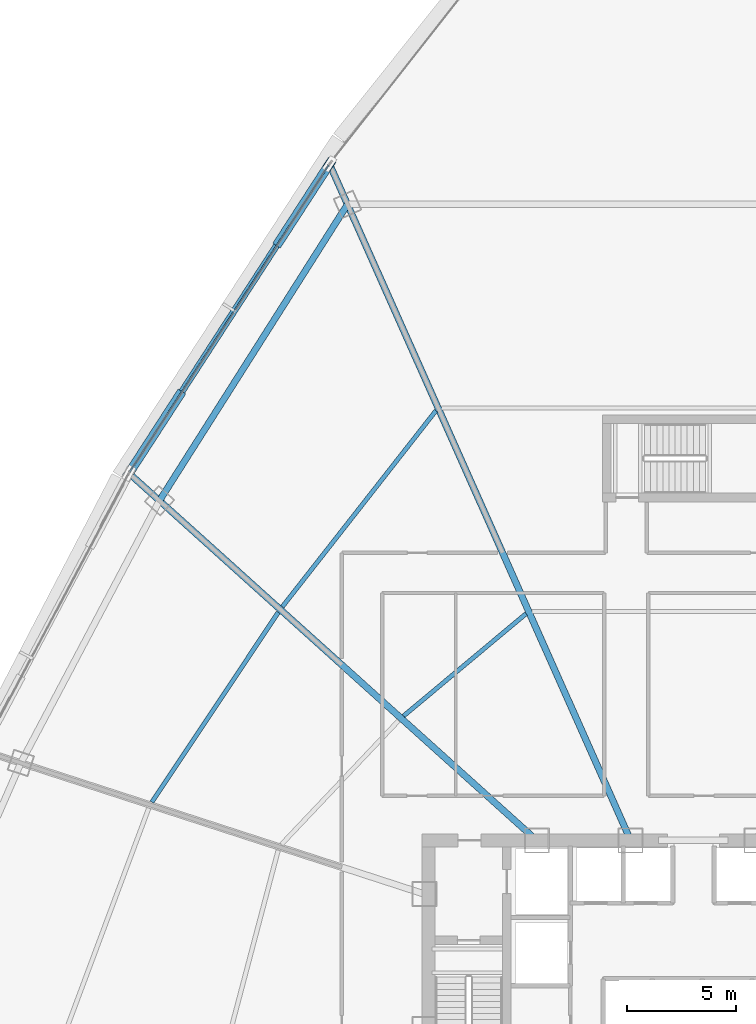
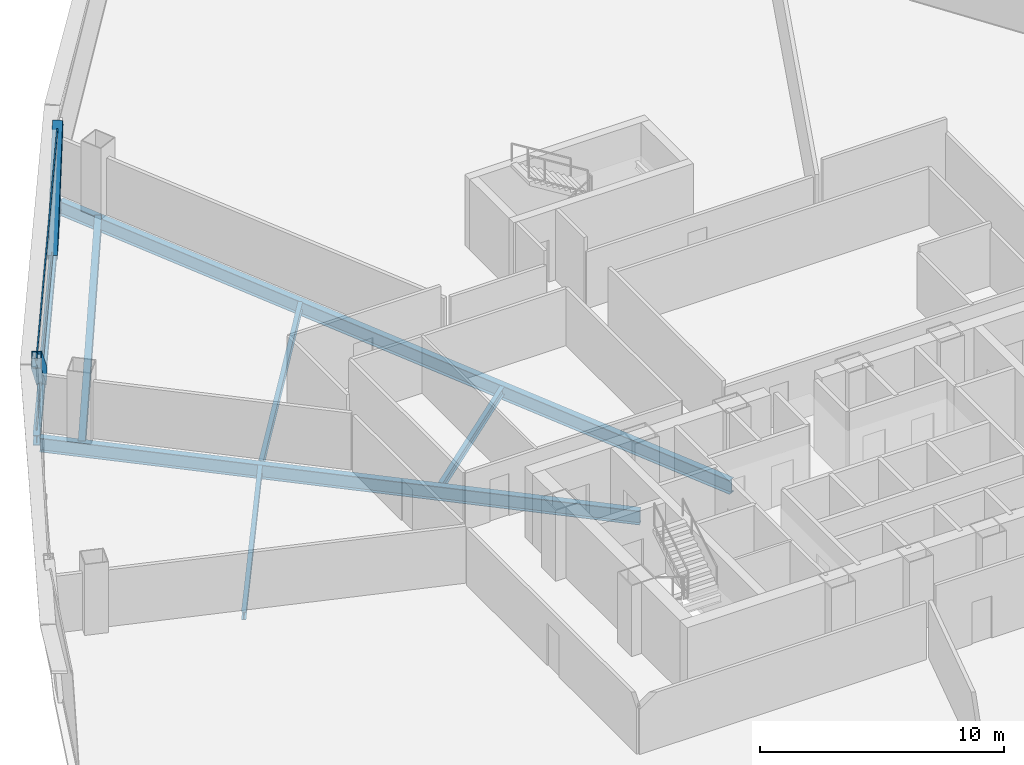
# One storey, part 15 of 39: 7 beams, 4 members, 1 element without a shape of its own.
"""IFC4 building model written with IfcOpenShell, lengths in metres."""

from ifc_helpers import new_model, si_unit, direction, frame, origin, origin_2d, place, context, subcontext, project, spatial, hollow_rectangle, i_section, extrude, source, transform, mapped, material, layer, layer_set, material_profile, profile_set, type_object, element, aggregate, save


model = new_model("IFC4")

# Units and contexts
model_context = context("Model", 3, precision=1e-05, world=origin(), true_north=direction((0.0, 1.0)))
body_context = subcontext(model_context, "Body", "Model", "MODEL_VIEW")
ifc_project = project(units=[si_unit("LENGTHUNIT", "METRE"), si_unit("AREAUNIT", "SQUARE_METRE"), si_unit("VOLUMEUNIT", "CUBIC_METRE"), si_unit("PLANEANGLEUNIT", "RADIAN"), si_unit("MASSUNIT", "GRAM", prefix="KILO"), si_unit("THERMODYNAMICTEMPERATUREUNIT", "KELVIN"), si_unit("POWERUNIT", "WATT")], contexts=[model_context])

# Site, building, storey
site_placement = place(None, origin())
site = spatial("IfcSite", under=ifc_project, at=site_placement, CompositionType="ELEMENT")
building_placement = place(site_placement, origin())
building = spatial("IfcBuilding", under=site, at=building_placement, Name="Yunzhuo Pagoda Commons", CompositionType="ELEMENT")
storey_placement = place(building_placement, frame((0.0, 0.0, 92.580078125)))
storey = spatial("IfcBuildingStorey", under=building, at=storey_placement, Name="L23", CompositionType="ELEMENT", Elevation=92.580078125)

# Beams
ifc_material_1 = material(Name="Structural steel Q355B", Category="steel")
ifc_material_profile_1 = material_profile(ifc_material_1, i_section(OverallWidth=0.300048828125, OverallDepth=0.699951171875, WebThickness=0.012939453125, FlangeThickness=0.02392578125, at=origin_2d()), Name="Structural steel Q355B")
ifc_profile_set_1 = profile_set([ifc_material_profile_1], Name="Structural steel Q355B")
beam_type_1 = type_object("IfcBeamType", Name="B-RG1 Beam HN 700x300x13x24", PredefinedType="BEAM", material=ifc_profile_set_1)
shared_shape_1 = source(origin(), body_context, "Body", "SweptSolid", [
    extrude(i_section(OverallWidth=0.300048828125, OverallDepth=0.699951171875, WebThickness=0.012939453125, FlangeThickness=0.02392578125, at=origin_2d()), origin(), (0.0, 0.0, 1.0), 16.16845703125),
])
beam_1_placement = place(storey_placement, frame((32.05859375, 69.505126953125, -0.610107421875), z_axis=(-0.535695673154, -0.844411123662, 0.0), x_axis=(0.844411123662, -0.535695673154, 0.0)))
element("IfcBeam", 1, at=beam_1_placement, inside=storey, type_object=beam_type_1, Name="L23 column-ring beam 9", PredefinedType="BEAM", context=body_context, shape_type="MappedRepresentation", body=[
    mapped(shared_shape_1, transform((0.0, 0.0, 0.0), scale=1.0)),
])
ifc_material_profile_2 = material_profile(ifc_material_1, i_section(OverallWidth=0.199951171875, OverallDepth=0.39990234375, WebThickness=0.008056640625, FlangeThickness=0.012939453125, at=origin_2d()), Name="Structural steel Q355B")
ifc_profile_set_2 = profile_set([ifc_material_profile_2], Name="Structural steel Q355B")
beam_type_2 = type_object("IfcBeamType", Name="B-JS1 Joist HN 400x200x8x13", PredefinedType="JOIST", material=ifc_profile_set_2)
shared_shape_2 = source(origin(), body_context, "Body", "SweptSolid", [
    extrude(i_section(OverallWidth=0.199951171875, OverallDepth=0.39990234375, WebThickness=0.008056640625, FlangeThickness=0.012939453125, at=origin_2d()), origin(), (0.0, 0.0, 1.0), 10.50537109375),
])
beam_2_placement = place(storey_placement, frame((28.871826171875, 50.711181640625, -0.4599609375), z_axis=(-0.554523204193, -0.832168261839, 0.0), x_axis=(0.832168261839, -0.554523204193, 0.0)))
element("IfcBeam", 2, at=beam_2_placement, inside=storey, type_object=beam_type_2, Name="L23 composite ring joist 2.10", PredefinedType="JOIST", context=body_context, shape_type="MappedRepresentation", body=[
    mapped(shared_shape_2, transform((0.0, 0.0, 0.0), scale=1.0)),
])
shared_shape_3 = source(origin(), body_context, "Body", "SweptSolid", [
    extrude(i_section(OverallWidth=0.199951171875, OverallDepth=0.39990234375, WebThickness=0.008056640625, FlangeThickness=0.012939453125, at=origin_2d()), origin(), (0.0, 0.0, 1.0), 7.35009765625),
])
beam_3_placement = place(storey_placement, frame((40.286865234375, 50.64794921875, -0.4599609375), z_axis=(-0.767561992249, -0.640974717173, 0.0), x_axis=(0.640974717173, -0.767561992249, 0.0)))
element("IfcBeam", 3, at=beam_3_placement, inside=storey, type_object=beam_type_2, Name="L23 composite ring joist 1.9", PredefinedType="JOIST", context=body_context, shape_type="MappedRepresentation", body=[
    mapped(shared_shape_3, transform((0.0, 0.0, 0.0), scale=1.0)),
])
shared_shape_4 = source(origin(), body_context, "Body", "SweptSolid", [
    extrude(i_section(OverallWidth=0.199951171875, OverallDepth=0.39990234375, WebThickness=0.008056640625, FlangeThickness=0.012939453125, at=origin_2d()), origin(), (0.0, 0.0, 1.0), 11.4755859375),
])
beam_4_placement = place(storey_placement, frame((36.135498046875, 60.002197265625, -0.4599609375), z_axis=(-0.616713174055, -0.787187945123, 0.0), x_axis=(0.787187945123, -0.616713174055, 0.0)))
element("IfcBeam", 4, at=beam_4_placement, inside=storey, type_object=beam_type_2, Name="L23 composite ring joist 2.9", PredefinedType="JOIST", context=body_context, shape_type="MappedRepresentation", body=[
    mapped(shared_shape_4, transform((0.0, 0.0, 0.0), scale=1.0)),
])
shared_shape_5 = source(origin(), body_context, "Body", "SweptSolid", [
    extrude(i_section(OverallWidth=0.300048828125, OverallDepth=0.699951171875, WebThickness=0.012939453125, FlangeThickness=0.02392578125, at=origin_2d()), origin(), (0.0, 0.0, 1.0), 25.1318359375),
])
beam_5_placement = place(storey_placement, frame((22.1044921875, 57.016357421875, -0.610107421875), z_axis=(0.743144868879, -0.669130558156, 0.0), x_axis=(0.669130558156, 0.743144868879, 0.0)))
element("IfcBeam", 5, at=beam_5_placement, inside=storey, type_object=beam_type_1, Name="L23 radial floor girder F3C2", PredefinedType="BEAM", context=body_context, shape_type="MappedRepresentation", body=[
    mapped(shared_shape_5, transform((0.0, 0.0, 0.0), scale=1.0)),
])
shared_shape_6 = source(origin(), body_context, "Body", "SweptSolid", [
    extrude(i_section(OverallWidth=0.300048828125, OverallDepth=0.699951171875, WebThickness=0.012939453125, FlangeThickness=0.02392578125, at=origin_2d()), origin(), (0.0, 0.0, 1.0), 33.961181640625),
])
beam_6_placement = place(storey_placement, frame((31.292724609375, 71.22509765625, -0.610107421875), z_axis=(0.406735346576, -0.91354603488, 0.0), x_axis=(0.91354603488, 0.406735346576, 0.0)))
element("IfcBeam", 6, at=beam_6_placement, inside=storey, type_object=beam_type_1, Name="L23 radial floor girder F3C1", PredefinedType="BEAM", context=body_context, shape_type="MappedRepresentation", body=[
    mapped(shared_shape_6, transform((0.0, 0.0, 0.0), scale=1.0)),
])
ifc_material_profile_3 = material_profile(ifc_material_1, i_section(OverallWidth=0.300048828125, OverallDepth=0.488037109375, WebThickness=0.010986328125, FlangeThickness=0.01806640625, at=origin_2d()), Name="Structural steel Q355B")
ifc_profile_set_3 = profile_set([ifc_material_profile_3], Name="Structural steel Q355B")
beam_type_3 = type_object("IfcBeamType", Name="B-SP1 Beam HM 488x300x11x18", PredefinedType="BEAM", material=ifc_profile_set_3)
shared_shape_7 = source(origin(), body_context, "Body", "SweptSolid", [
    extrude(i_section(OverallWidth=0.300048828125, OverallDepth=0.488037109375, WebThickness=0.010986328125, FlangeThickness=0.01806640625, at=origin_2d()), origin(), (0.0, 0.0, 1.0), 16.980712890625),
])
beam_7_placement = place(storey_placement, frame((31.229736328125, 71.366455078125, -0.504150390625), z_axis=(-0.544174968166, -0.838971754007, 0.0), x_axis=(0.838971754007, -0.544174968166, 0.0)))
element("IfcBeam", 7, at=beam_7_placement, inside=storey, type_object=beam_type_3, Name="L23 facade edge spandrel beam F3.1", PredefinedType="BEAM", context=body_context, shape_type="MappedRepresentation", body=[
    mapped(shared_shape_7, transform((0.0, 0.0, 0.0), scale=1.0)),
])

# Members
ifc_material_2 = material(Name="Structural steel Q420B", Category="steel")
ifc_material_profile_4 = material_profile(ifc_material_2, hollow_rectangle(XDim=0.419921875, YDim=0.719970703125, WallThickness=0.028076171875, at=origin_2d()), Name="Structural steel Q420B")
ifc_profile_set_4 = profile_set([ifc_material_profile_4], Name="Structural steel Q420B")
member_type_1 = type_object("IfcMemberType", Name="M-DL1 Brace BOX 720x420x28", PredefinedType="BRACE", material=ifc_profile_set_4)
shared_shape_8 = source(origin(), body_context, "Body", "SweptSolid", [
    extrude(hollow_rectangle(XDim=0.419921875, YDim=0.719970703125, WallThickness=0.028076171875, at=origin_2d()), origin(), (0.0, 0.0, 1.0), 5.697509765625),
])
for number, where, z_axis, x_axis, name in (
    (8, (28.919677734375, 67.804931640625, -0.260009765625), (0.405453235797, 0.625105876538, 0.666971001393), (-0.838974060503, 0.544171412152, 0.0), "L23 facade diamond brace F3.1L"),
    (9, (24.29931640625, 60.681640625, -0.260009765625), (-0.405453235797, -0.625105876538, 0.666971001393), (0.838974060503, -0.544171412152, 0.0), "L23 facade diamond brace F3.1R"),
):
    element("IfcMember", number, at=place(storey_placement, frame(where, z_axis=z_axis, x_axis=x_axis)), inside=storey, type_object=member_type_1, Name=name, PredefinedType="BRACE", context=body_context, shape_type="MappedRepresentation", body=[
        mapped(shared_shape_8, transform((0.0, 0.0, 0.0), scale=1.0)),
    ])

# Curtain wall, members
ifc_material_3 = material(Name="Anodized aluminium 6063-T6", Category="aluminium")
ifc_layer = layer(ifc_material_3, 0.1650390625)
ifc_layer_set = layer_set([ifc_layer], Name="Anodized aluminium 6063-T6")
curtain_wall_type = type_object("IfcCurtainWallType", Name="CW-LOW Low-Zone Ribbon Curtain Wall", PredefinedType="NOTDEFINED", material=ifc_layer_set)
curtain_wall_placement = place(storey_placement, origin())
curtain_wall = element("IfcCurtainWall", 10, at=curtain_wall_placement, inside=storey, type_object=curtain_wall_type, Name="L23 curtain wall CW-L23-F3B2", PredefinedType="NOTDEFINED")
ifc_material_profile_5 = material_profile(ifc_material_3, hollow_rectangle(XDim=0.06005859375, YDim=0.139892578125, WallThickness=0.00341796875, at=origin_2d()), Name="Anodized aluminium 6063-T6")
ifc_profile_set_5 = profile_set([ifc_material_profile_5], Name="Anodized aluminium 6063-T6")
member_type_2 = type_object("IfcMemberType", Name="CW-LOW-T Transom RHS 140x60x3.5", PredefinedType="USERDEFINED", material=ifc_profile_set_5)
shared_shape_9 = source(origin(), body_context, "Body", "SweptSolid", [
    extrude(hollow_rectangle(XDim=0.06005859375, YDim=0.139892578125, WallThickness=0.00341796875, at=origin_2d()), origin(), (0.0, 0.0, 1.0), 16.8505859375),
])
member_1_placement = place(storey_placement, frame((31.1943359375, 71.31201171875, 0.030029296875), z_axis=(-0.544174292348, -0.838972192356, 0.0), x_axis=(0.838972192356, -0.544174292348, 0.0)))
member_1 = element("IfcMember", 11, at=member_1_placement, type_object=member_type_2, Name="CW transom 1.1", ObjectType="TRANSOM", PredefinedType="USERDEFINED", context=body_context, shape_type="MappedRepresentation", body=[
    mapped(shared_shape_9, transform((0.0, 0.0, 0.0), scale=1.0)),
])
member_2_placement = place(storey_placement, frame((31.1943359375, 71.31201171875, 3.510009765625), z_axis=(-0.544174292348, -0.838972192356, 0.0), x_axis=(0.838972192356, -0.544174292348, 0.0)))
member_2 = element("IfcMember", 12, at=member_2_placement, type_object=member_type_2, Name="CW transom 1.2", ObjectType="TRANSOM", PredefinedType="USERDEFINED", context=body_context, shape_type="MappedRepresentation", body=[
    mapped(shared_shape_9, transform((0.0, 0.0, 0.0), scale=1.0)),
])
aggregate(curtain_wall, [member_1, member_2])

save(model, "model.ifc")
